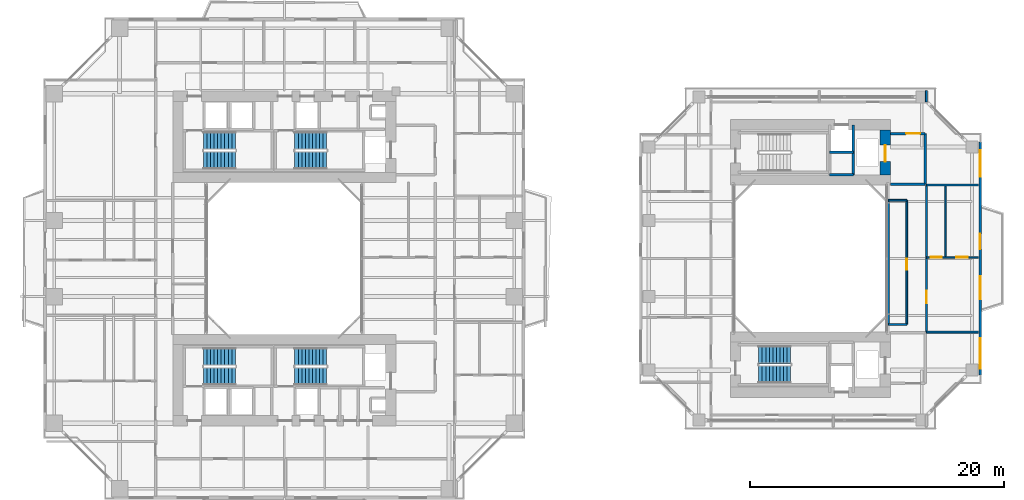
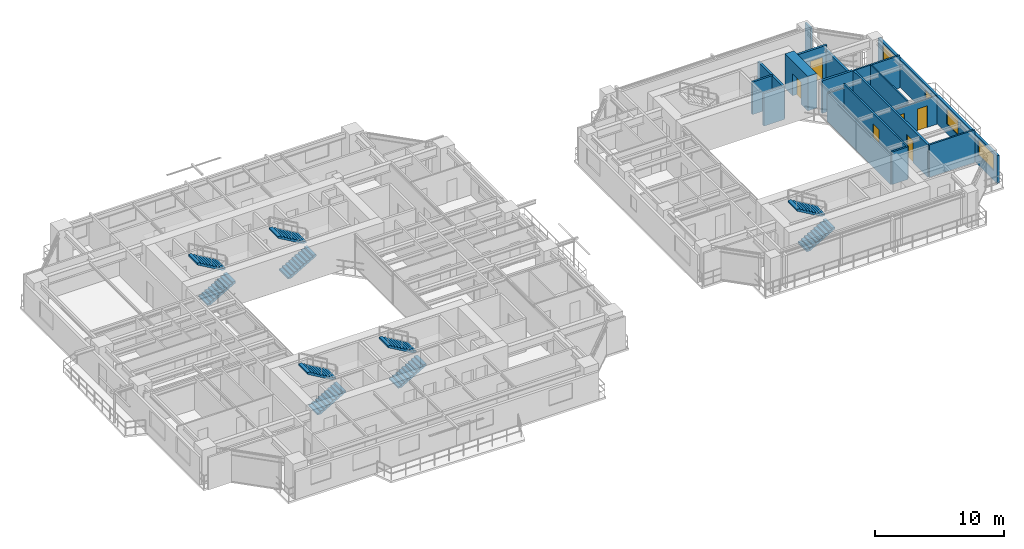
# One storey, part 18 of 24: 18 walls, 10 stair flights, 7 doors, 3 windows, 10 openings, 5 elements without a shape of their own.
"""IFC4 building model written with IfcOpenShell, lengths in metres."""

from ifc_helpers import new_model, si_unit, direction, frame, frame_2d, origin, place, context, subcontext, project, spatial, polyline, rectangle, outline, extrude, source, transform, mapped, material, layer, layer_set, type_object, element, fill, aggregate, save


model = new_model("IFC4")

# Units and contexts
model_context = context("Model", 3, precision=1e-05, world=origin(), true_north=direction((0.0, 1.0)))
body_context = subcontext(model_context, "Body", "Model", "MODEL_VIEW")
ifc_project = project(units=[si_unit("LENGTHUNIT", "METRE"), si_unit("AREAUNIT", "SQUARE_METRE"), si_unit("VOLUMEUNIT", "CUBIC_METRE"), si_unit("PLANEANGLEUNIT", "RADIAN"), si_unit("MASSUNIT", "GRAM", prefix="KILO"), si_unit("THERMODYNAMICTEMPERATUREUNIT", "KELVIN"), si_unit("POWERUNIT", "WATT")], contexts=[model_context])

# Site, building, storey
site_placement = place(None, origin())
site = spatial("IfcSite", under=ifc_project, at=site_placement, CompositionType="ELEMENT")
building_placement = place(site_placement, origin())
building = spatial("IfcBuilding", under=site, at=building_placement, Name="Qiaomeng Ring Towers", CompositionType="ELEMENT")
storey_placement = place(building_placement, frame((0.0, 0.0, 36.0)))
storey = spatial("IfcBuildingStorey", under=building, at=storey_placement, Name="L09", CompositionType="ELEMENT", Elevation=36.0)

# Wall, openings, windows, door
ifc_material_1 = material(Name="Precast concrete C40", Category="concrete")
ifc_layer_1 = layer(ifc_material_1, 0.219970703125, Name="Precast concrete C40")
ifc_layer_set_1 = layer_set([ifc_layer_1], Name="Precast concrete C40")
wall_type_1 = type_object("IfcWallType", Name="ARC-WL-EW2", PredefinedType="STANDARD", material=ifc_layer_set_1)
wall_1_placement = place(storey_placement, frame((73.889892578125, 13.800048828125, 0.0), z_axis=(0.0, 0.0, 1.0), x_axis=(0.0, 1.0, 0.0)))
wall_1 = element("IfcWall", 1, at=wall_1_placement, inside=storey, type_object=wall_type_1, Name="L09 Companion East Wall", PredefinedType="STANDARD", context=body_context, shape_type="SweptSolid", body=[
    extrude(rectangle(XDim=18.39990234375, YDim=0.219970703125, at=frame_2d((9.199951171875, 0.0))), origin(), (0.0, 0.0, 1.0), 2.610107421875),
])
opening_1_placement = place(wall_1_placement, frame((9.949951171875, 0.0, 0.0)))
opening_1 = element("IfcOpeningElement", 2, at=opening_1_placement, cuts=wall_1, Name="Opening BD1", PredefinedType="OPENING", context=body_context, shape_type="SweptSolid", body=[
    extrude(rectangle(XDim=1.199951171875, YDim=2.10009765625, at=frame_2d((0.60009765625, 1.050048828125))), frame((0.0, 0.119873046875, 0.0), z_axis=(0.0, -1.0, 0.0), x_axis=(1.0, 0.0, 0.0)), (0.0, 0.0, 1.0), 0.239990234375),
])
opening_2_placement = place(wall_1_placement, frame((0.507568359375, 0.0, 0.89990234375)))
opening_2 = element("IfcOpeningElement", 3, at=opening_2_placement, cuts=wall_1, Name="Opening WN6", PredefinedType="OPENING", context=body_context, shape_type="SweptSolid", body=[
    extrude(rectangle(XDim=2.39990234375, YDim=1.5, at=frame_2d((1.199951171875, 0.75))), frame((0.0, 0.119873046875, 0.0), z_axis=(0.0, -1.0, 0.0), x_axis=(1.0, 0.0, 0.0)), (0.0, 0.0, 1.0), 0.239990234375),
])
opening_3_placement = place(wall_1_placement, frame((6.0, 0.0, 0.89990234375)))
opening_3 = element("IfcOpeningElement", 4, at=opening_3_placement, cuts=wall_1, Name="Opening WN1", PredefinedType="OPENING", context=body_context, shape_type="SweptSolid", body=[
    extrude(rectangle(XDim=1.800048828125, YDim=1.449951171875, at=frame_2d((0.89990234375, 0.72509765625))), frame((0.0, 0.119873046875, 0.0), z_axis=(0.0, -1.0, 0.0), x_axis=(1.0, 0.0, 0.0)), (0.0, 0.0, 1.0), 0.239990234375),
])
opening_4_placement = place(wall_1_placement, frame((15.642578125, 0.0, 0.89990234375)))
opening_4 = element("IfcOpeningElement", 5, at=opening_4_placement, cuts=wall_1, Name="Opening WN4", PredefinedType="OPENING", context=body_context, shape_type="SweptSolid", body=[
    extrude(rectangle(XDim=2.10009765625, YDim=1.5, at=frame_2d((1.050048828125, 0.75))), frame((0.0, 0.119873046875, 0.0), z_axis=(0.0, -1.0, 0.0), x_axis=(1.0, 0.0, 0.0)), (0.0, 0.0, 1.0), 0.239990234375),
])
ifc_material_2 = material(Name="Low-E dark-grey laminated double glazing", Category="glass")
window_type_1 = type_object("IfcWindowType", Name="ARC-WN-4", PartitioningType="TRIPLE_PANEL_VERTICAL", PredefinedType="WINDOW", material=ifc_material_2)
shared_shape_1 = source(origin(), body_context, "Body", "SweptSolid", [
    extrude(rectangle(XDim=2.10009765625, YDim=1.5, at=frame_2d((1.050048828125, 0.75))), frame((0.0, 0.030029296875, 0.0), z_axis=(0.0, -1.0, 0.0), x_axis=(1.0, 0.0, 0.0)), (0.0, 0.0, 1.0), 0.06005859375),
])
window_1_placement = place(opening_4_placement, origin())
window_1 = element("IfcWindow", 6, at=window_1_placement, inside=storey, type_object=window_type_1, Name="L09 Exterior Window WN4", OverallHeight=1.5, OverallWidth=2.10009765625, PartitioningType="TRIPLE_PANEL_VERTICAL", PredefinedType="WINDOW", context=body_context, shape_type="MappedRepresentation", body=[
    mapped(shared_shape_1, transform((0.0, 0.0, 0.0), x_axis=(1.0, 0.0, 0.0), y_axis=(0.0, 1.0, 0.0), z_axis=(0.0, 0.0, 1.0), scale=1.0)),
])
fill(opening_4, window_1)
window_type_2 = type_object("IfcWindowType", Name="ARC-WN-1", PartitioningType="DOUBLE_PANEL_VERTICAL", PredefinedType="WINDOW", material=ifc_material_2)
shared_shape_2 = source(origin(), body_context, "Body", "SweptSolid", [
    extrude(rectangle(XDim=1.800048828125, YDim=1.449951171875, at=frame_2d((0.89990234375, 0.72509765625))), frame((0.0, 0.030029296875, 0.0), z_axis=(0.0, -1.0, 0.0), x_axis=(1.0, 0.0, 0.0)), (0.0, 0.0, 1.0), 0.06005859375),
])
window_2_placement = place(opening_3_placement, origin())
window_2 = element("IfcWindow", 7, at=window_2_placement, inside=storey, type_object=window_type_2, Name="L09 Exterior Window WN1", OverallHeight=1.449951171875, OverallWidth=1.800048828125, PartitioningType="DOUBLE_PANEL_VERTICAL", PredefinedType="WINDOW", context=body_context, shape_type="MappedRepresentation", body=[
    mapped(shared_shape_2, transform((0.0, 0.0, 0.0), x_axis=(1.0, 0.0, 0.0), y_axis=(0.0, 1.0, 0.0), z_axis=(0.0, 0.0, 1.0), scale=1.0)),
])
fill(opening_3, window_2)
door_type_1 = type_object("IfcDoorType", Name="ARC-DR-BD1", OperationType="NOTDEFINED", PredefinedType="DOOR", material=ifc_material_2)
shared_shape_3 = source(origin(), body_context, "Body", "SweptSolid", [
    extrude(rectangle(XDim=1.199951171875, YDim=2.10009765625, at=frame_2d((0.60009765625, 1.050048828125))), frame((0.0, 0.02490234375, 0.0), z_axis=(0.0, -1.0, 0.0), x_axis=(1.0, 0.0, 0.0)), (0.0, 0.0, 1.0), 0.050048828125),
])
door_1_placement = place(opening_1_placement, origin())
door_1 = element("IfcDoor", 8, at=door_1_placement, inside=storey, type_object=door_type_1, Name="L09 Companion East Balcony Door", OperationType="SINGLE_SWING_LEFT", OverallHeight=2.10009765625, OverallWidth=1.199951171875, PredefinedType="DOOR", context=body_context, shape_type="MappedRepresentation", body=[
    mapped(shared_shape_3, transform((0.0, 0.0, 0.0), x_axis=(1.0, 0.0, 0.0), y_axis=(0.0, 1.0, 0.0), z_axis=(0.0, 0.0, 1.0), scale=1.0)),
])
fill(opening_1, door_1)
window_type_3 = type_object("IfcWindowType", Name="ARC-WN-6", PartitioningType="TRIPLE_PANEL_VERTICAL", PredefinedType="WINDOW", material=ifc_material_2)
shared_shape_4 = source(origin(), body_context, "Body", "SweptSolid", [
    extrude(rectangle(XDim=2.39990234375, YDim=1.5, at=frame_2d((1.199951171875, 0.75))), frame((0.0, 0.030029296875, 0.0), z_axis=(0.0, -1.0, 0.0), x_axis=(1.0, 0.0, 0.0)), (0.0, 0.0, 1.0), 0.06005859375),
])
window_3_placement = place(opening_2_placement, origin())
window_3 = element("IfcWindow", 9, at=window_3_placement, inside=storey, type_object=window_type_3, Name="L09 Exterior Window WN6", OverallHeight=1.5, OverallWidth=2.39990234375, PartitioningType="TRIPLE_PANEL_VERTICAL", PredefinedType="WINDOW", context=body_context, shape_type="MappedRepresentation", body=[
    mapped(shared_shape_4, transform((0.0, 0.0, 0.0), x_axis=(1.0, 0.0, 0.0), y_axis=(0.0, 1.0, 0.0), z_axis=(0.0, 0.0, 1.0), scale=1.0)),
])
fill(opening_2, window_3)

# Walls
ifc_material_3 = material(Name="Autoclaved aerated concrete block", Category="concrete")
ifc_layer_2 = layer(ifc_material_3, 0.199951171875, Name="Autoclaved aerated concrete block")
ifc_layer_set_2 = layer_set([ifc_layer_2], Name="Autoclaved aerated concrete block")
wall_type_2 = type_object("IfcWallType", Name="ARC-WL-PW1", PredefinedType="PARTITIONING", material=ifc_layer_set_2)
wall_2_placement = place(storey_placement, frame((66.800048828125, 28.85009765625, 0.0), z_axis=(0.0, 0.0, 1.0), x_axis=(1.0, 0.0, 0.0)))
element("IfcWall", 10, at=wall_2_placement, inside=storey, type_object=wall_type_2, Name="L09 Interior Wall PW1", PredefinedType="PARTITIONING", context=body_context, shape_type="SweptSolid", body=[
    extrude(rectangle(XDim=2.75, YDim=0.199951171875, at=frame_2d((1.375, 0.0))), origin(), (0.0, 0.0, 1.0), 3.070068359375),
])
wall_3_placement = place(storey_placement, frame((69.550048828125, 28.85009765625, 0.0), z_axis=(0.0, 0.0, 1.0), x_axis=(0.0, 1.0, 0.0)))
element("IfcWall", 11, at=wall_3_placement, inside=storey, type_object=wall_type_2, Name="L09 Interior Wall PW1", PredefinedType="PARTITIONING", context=body_context, shape_type="SweptSolid", body=[
    extrude(rectangle(XDim=4.0, YDim=0.199951171875, at=frame_2d((2.0, 0.0))), origin(), (0.0, 0.0, 1.0), 2.614990234375),
])

# Wall, opening, door
wall_4_placement = place(storey_placement, frame((66.800048828125, 32.85009765625, 0.0), z_axis=(0.0, 0.0, 1.0), x_axis=(1.0, 0.0, 0.0)))
wall_4 = element("IfcWall", 12, at=wall_4_placement, inside=storey, type_object=wall_type_2, Name="L09 Interior Wall PW1", PredefinedType="PARTITIONING", context=body_context, shape_type="SweptSolid", body=[
    extrude(rectangle(XDim=2.75, YDim=0.199951171875, at=frame_2d((1.375, 0.0))), origin(), (0.0, 0.0, 1.0), 3.070068359375),
])
opening_5_placement = place(wall_4_placement, frame((1.25, 0.0, 0.0)))
opening_5 = element("IfcOpeningElement", 13, at=opening_5_placement, cuts=wall_4, Name="Opening FD3", PredefinedType="OPENING", context=body_context, shape_type="SweptSolid", body=[
    extrude(rectangle(XDim=1.10009765625, YDim=2.050048828125, at=frame_2d((0.550048828125, 1.02490234375))), frame((0.0, 0.10986328125, 0.0), z_axis=(0.0, -1.0, 0.0), x_axis=(1.0, 0.0, 0.0)), (0.0, 0.0, 1.0), 0.219970703125),
])
ifc_material_4 = material(Name="Galvanised steel", Category="steel")
door_type_2 = type_object("IfcDoorType", Name="ARC-DR-FD3", OperationType="NOTDEFINED", PredefinedType="DOOR", material=ifc_material_4)
shared_shape_5 = source(origin(), body_context, "Body", "SweptSolid", [
    extrude(rectangle(XDim=1.10009765625, YDim=2.050048828125, at=frame_2d((0.550048828125, 1.02490234375))), frame((0.0, 0.02490234375, 0.0), z_axis=(0.0, -1.0, 0.0), x_axis=(1.0, 0.0, 0.0)), (0.0, 0.0, 1.0), 0.050048828125),
])
door_2_placement = place(opening_5_placement, origin())
door_2 = element("IfcDoor", 14, at=door_2_placement, inside=storey, type_object=door_type_2, Name="L09 Door FD3", OperationType="SINGLE_SWING_LEFT", OverallHeight=2.050048828125, OverallWidth=1.10009765625, PredefinedType="DOOR", context=body_context, shape_type="MappedRepresentation", body=[
    mapped(shared_shape_5, transform((0.0, 0.0, 0.0), x_axis=(1.0, 0.0, 0.0), y_axis=(0.0, 1.0, 0.0), z_axis=(0.0, 0.0, 1.0), scale=1.0)),
])
fill(opening_5, door_2)

ifc_layer_3 = layer(ifc_material_3, 0.179931640625, Name="Autoclaved aerated concrete block")
ifc_layer_set_3 = layer_set([ifc_layer_3], Name="Autoclaved aerated concrete block")
wall_type_3 = type_object("IfcWallType", Name="ARC-WL-PW2", PredefinedType="PARTITIONING", material=ifc_layer_set_3)
wall_5_placement = place(storey_placement, frame((69.64990234375, 17.199951171875, 0.0), z_axis=(0.0, 0.0, 1.0), x_axis=(0.0, 1.0, 0.0)))
wall_5 = element("IfcWall", 15, at=wall_5_placement, inside=storey, type_object=wall_type_3, Name="L09 Interior Wall PW2", PredefinedType="PARTITIONING", context=body_context, shape_type="SweptSolid", body=[
    extrude(rectangle(XDim=11.60009765625, YDim=0.179931640625, at=frame_2d((5.800048828125, 0.0))), origin(), (0.0, 0.0, 1.0), 3.070068359375),
])
opening_6_placement = place(wall_5_placement, frame((2.260009765625, 0.0, 0.0)))
opening_6 = element("IfcOpeningElement", 16, at=opening_6_placement, cuts=wall_5, Name="Opening FD4", PredefinedType="OPENING", context=body_context, shape_type="SweptSolid", body=[
    extrude(rectangle(XDim=1.0, YDim=2.050048828125, at=frame_2d((0.5, 1.02490234375))), frame((0.0, 0.099853515625, 0.0), z_axis=(0.0, -1.0, 0.0), x_axis=(1.0, 0.0, 0.0)), (0.0, 0.0, 1.0), 0.199951171875),
])
ifc_material_5 = material(Name="Engineered fire-rated oak timber", Category="wood")
door_type_3 = type_object("IfcDoorType", Name="ARC-DR-FD4", OperationType="NOTDEFINED", PredefinedType="DOOR", material=ifc_material_5)
shared_shape_6 = source(origin(), body_context, "Body", "SweptSolid", [
    extrude(rectangle(XDim=1.0, YDim=2.050048828125, at=frame_2d((0.5, 1.02490234375))), frame((0.0, 0.02490234375, 0.0), z_axis=(0.0, -1.0, 0.0), x_axis=(1.0, 0.0, 0.0)), (0.0, 0.0, 1.0), 0.050048828125),
])
door_3_placement = place(opening_6_placement, origin())
door_3 = element("IfcDoor", 17, at=door_3_placement, inside=storey, type_object=door_type_3, Name="L09 Door FD4", OperationType="SINGLE_SWING_LEFT", OverallHeight=2.050048828125, OverallWidth=1.0, PredefinedType="DOOR", context=body_context, shape_type="MappedRepresentation", body=[
    mapped(shared_shape_6, transform((0.0, 0.0, 0.0), x_axis=(1.0, 0.0, 0.0), y_axis=(0.0, 1.0, 0.0), z_axis=(0.0, 0.0, 1.0), scale=1.0)),
])
fill(opening_6, door_3)

# Walls
ifc_material_6 = material(Name="Gypsum fireboard steel-stud partition", Category="steel")
ifc_layer_4 = layer(ifc_material_6, 0.14990234375, Name="Gypsum fireboard steel-stud partition")
ifc_layer_set_4 = layer_set([ifc_layer_4], Name="Gypsum fireboard steel-stud partition")
wall_type_4 = type_object("IfcWallType", Name="ARC-WL-PW3", PredefinedType="PARTITIONING", material=ifc_layer_set_4)
for number, where, z_axis, x_axis, name in (
    (18, (69.64990234375, 17.199951171875, 0.0), (0.0, 0.0, 1.0), (1.0, 0.0, 0.0), "L09 Interior Wall PW3"),
    (19, (69.64990234375, 28.800048828125, 0.0), (0.0, 0.0, 1.0), (1.0, 0.0, 0.0), "L09 Interior Wall PW3"),
):
    element("IfcWall", number, at=place(storey_placement, frame(where, z_axis=z_axis, x_axis=x_axis)), inside=storey, type_object=wall_type_4, Name=name, PredefinedType="PARTITIONING", context=body_context, shape_type="SweptSolid", body=[
        extrude(rectangle(XDim=4.10009765625, YDim=0.14990234375, at=frame_2d((2.050048828125, 0.0))), origin(), (0.0, 0.0, 1.0), 3.070068359375),
    ])

# Wall, opening, door
wall_6_placement = place(storey_placement, frame((68.10009765625, 17.800048828125, 0.0), z_axis=(0.0, 0.0, 1.0), x_axis=(0.0, 1.0, 0.0)))
wall_6 = element("IfcWall", 20, at=wall_6_placement, inside=storey, type_object=wall_type_4, Name="L09 Interior Wall PW3", PredefinedType="PARTITIONING", context=body_context, shape_type="SweptSolid", body=[
    extrude(rectangle(XDim=9.800048828125, YDim=0.14990234375, at=frame_2d((4.89990234375, 0.0))), origin(), (0.0, 0.0, 1.0), 3.070068359375),
])
opening_7_placement = place(wall_6_placement, frame((4.300048828125, 0.0, 0.0)))
opening_7 = element("IfcOpeningElement", 21, at=opening_7_placement, cuts=wall_6, Name="Opening ID1", PredefinedType="OPENING", context=body_context, shape_type="SweptSolid", body=[
    extrude(rectangle(XDim=0.89990234375, YDim=2.050048828125, at=frame_2d((0.449951171875, 1.02490234375))), frame((0.0, 0.0849609375, 0.0), z_axis=(0.0, -1.0, 0.0), x_axis=(1.0, 0.0, 0.0)), (0.0, 0.0, 1.0), 0.169921875),
])
ifc_material_7 = material(Name="Engineered oak timber", Category="wood")
door_type_4 = type_object("IfcDoorType", Name="ARC-DR-ID1", OperationType="NOTDEFINED", PredefinedType="DOOR", material=ifc_material_7)
shared_shape_7 = source(origin(), body_context, "Body", "SweptSolid", [
    extrude(rectangle(XDim=0.89990234375, YDim=2.050048828125, at=frame_2d((0.449951171875, 1.02490234375))), frame((0.0, 0.02490234375, 0.0), z_axis=(0.0, -1.0, 0.0), x_axis=(1.0, 0.0, 0.0)), (0.0, 0.0, 1.0), 0.050048828125),
])
door_4_placement = place(opening_7_placement, origin())
door_4 = element("IfcDoor", 22, at=door_4_placement, inside=storey, type_object=door_type_4, Name="L09 Door ID1", OperationType="SINGLE_SWING_RIGHT", OverallHeight=2.050048828125, OverallWidth=0.89990234375, PredefinedType="DOOR", context=body_context, shape_type="MappedRepresentation", body=[
    mapped(shared_shape_7, transform((0.0, 0.0, 0.0), x_axis=(1.0, 0.0, 0.0), y_axis=(0.0, 1.0, 0.0), z_axis=(0.0, 0.0, 1.0), scale=1.0)),
])
fill(opening_7, door_4)

# Walls
wall_7_placement = place(storey_placement, frame((66.64990234375, 27.60009765625, 0.0), z_axis=(0.0, 0.0, 1.0), x_axis=(1.0, 0.0, 0.0)))
element("IfcWall", 23, at=wall_7_placement, inside=storey, type_object=wall_type_4, Name="L09 Interior Wall PW3", PredefinedType="PARTITIONING", context=body_context, shape_type="SweptSolid", body=[
    extrude(rectangle(XDim=1.4501953125, YDim=0.14990234375, at=frame_2d((0.72509765625, 0.0))), origin(), (0.0, 0.0, 1.0), 2.715087890625),
])
wall_8_placement = place(storey_placement, frame((66.64990234375, 17.800048828125, 0.0), z_axis=(0.0, 0.0, 1.0), x_axis=(1.0, 0.0, 0.0)))
element("IfcWall", 24, at=wall_8_placement, inside=storey, type_object=wall_type_4, Name="L09 Interior Wall PW3", PredefinedType="PARTITIONING", context=body_context, shape_type="SweptSolid", body=[
    extrude(rectangle(XDim=1.4501953125, YDim=0.14990234375, at=frame_2d((0.72509765625, 0.0))), origin(), (0.0, 0.0, 1.0), 3.070068359375),
])
wall_9_placement = place(storey_placement, frame((66.64990234375, 17.800048828125, 0.0), z_axis=(0.0, 0.0, 1.0), x_axis=(0.0, 1.0, 0.0)))
element("IfcWall", 25, at=wall_9_placement, inside=storey, type_object=wall_type_4, Name="L09 Interior Wall PW3", PredefinedType="PARTITIONING", context=body_context, shape_type="SweptSolid", body=[
    extrude(rectangle(XDim=9.800048828125, YDim=0.14990234375, at=frame_2d((4.89990234375, 0.0))), origin(), (0.0, 0.0, 1.0), 2.6650390625),
])
wall_10_placement = place(storey_placement, frame((69.64990234375, 35.35009765625, 0.0), z_axis=(0.0, 0.0, 1.0), x_axis=(0.0, 1.0, 0.0)))
element("IfcWall", 26, at=wall_10_placement, inside=storey, type_object=wall_type_4, Name="L09 Interior Wall PW3", PredefinedType="PARTITIONING", context=body_context, shape_type="SweptSolid", body=[
    extrude(rectangle(XDim=0.89990234375, YDim=0.14990234375, at=frame_2d((0.449951171875, 0.0))), origin(), (0.0, 0.0, 1.0), 3.070068359375),
])

# Wall, openings, doors
ifc_material_8 = material(Name="Moisture-resistant gypsum steel-stud partition", Category="steel")
ifc_layer_5 = layer(ifc_material_8, 0.1201171875, Name="Moisture-resistant gypsum steel-stud partition")
ifc_layer_set_5 = layer_set([ifc_layer_5], Name="Moisture-resistant gypsum steel-stud partition")
wall_type_5 = type_object("IfcWallType", Name="ARC-WL-PW4", PredefinedType="PLUMBINGWALL", material=ifc_layer_set_5)
wall_11_placement = place(storey_placement, frame((69.64990234375, 23.10009765625, 0.0), z_axis=(0.0, 0.0, 1.0), x_axis=(1.0, 0.0, 0.0)))
wall_11 = element("IfcWall", 27, at=wall_11_placement, inside=storey, type_object=wall_type_5, Name="L09 Interior Wall PW4", PredefinedType="PLUMBINGWALL", context=body_context, shape_type="SweptSolid", body=[
    extrude(rectangle(XDim=4.10009765625, YDim=0.1201171875, at=frame_2d((2.050048828125, 0.0))), origin(), (0.0, 0.0, 1.0), 2.715087890625),
])
opening_8_placement = place(wall_11_placement, frame((0.344970703125, 0.0, 0.0)))
opening_8 = element("IfcOpeningElement", 28, at=opening_8_placement, cuts=wall_11, Name="Opening ID2", PredefinedType="OPENING", context=body_context, shape_type="SweptSolid", body=[
    extrude(rectangle(XDim=0.85009765625, YDim=2.050048828125, at=frame_2d((0.425048828125, 1.02490234375))), frame((0.0, 0.070068359375, 0.0), z_axis=(0.0, -1.0, 0.0), x_axis=(1.0, 0.0, 0.0)), (0.0, 0.0, 1.0), 0.14013671875),
])
opening_9_placement = place(wall_11_placement, frame((2.35009765625, 0.0, 0.0)))
opening_9 = element("IfcOpeningElement", 29, at=opening_9_placement, cuts=wall_11, Name="Opening ID1", PredefinedType="OPENING", context=body_context, shape_type="SweptSolid", body=[
    extrude(rectangle(XDim=0.89990234375, YDim=2.050048828125, at=frame_2d((0.449951171875, 1.02490234375))), frame((0.0, 0.070068359375, 0.0), z_axis=(0.0, -1.0, 0.0), x_axis=(1.0, 0.0, 0.0)), (0.0, 0.0, 1.0), 0.14013671875),
])
ifc_material_9 = material(Name="Moisture-resistant engineered timber", Category="wood")
door_type_5 = type_object("IfcDoorType", Name="ARC-DR-ID2", OperationType="NOTDEFINED", PredefinedType="DOOR", material=ifc_material_9)
shared_shape_8 = source(origin(), body_context, "Body", "SweptSolid", [
    extrude(rectangle(XDim=0.85009765625, YDim=2.050048828125, at=frame_2d((0.425048828125, 1.02490234375))), frame((0.0, 0.02490234375, 0.0), z_axis=(0.0, -1.0, 0.0), x_axis=(1.0, 0.0, 0.0)), (0.0, 0.0, 1.0), 0.050048828125),
])
door_5_placement = place(opening_8_placement, origin())
door_5 = element("IfcDoor", 30, at=door_5_placement, inside=storey, type_object=door_type_5, Name="L09 Door ID2", OperationType="SINGLE_SWING_LEFT", OverallHeight=2.050048828125, OverallWidth=0.85009765625, PredefinedType="DOOR", context=body_context, shape_type="MappedRepresentation", body=[
    mapped(shared_shape_8, transform((0.0, 0.0, 0.0), x_axis=(1.0, 0.0, 0.0), y_axis=(0.0, 1.0, 0.0), z_axis=(0.0, 0.0, 1.0), scale=1.0)),
])
fill(opening_8, door_5)
door_6_placement = place(opening_9_placement, origin())
door_6 = element("IfcDoor", 31, at=door_6_placement, inside=storey, type_object=door_type_4, Name="L09 Door ID1", OperationType="SINGLE_SWING_RIGHT", OverallHeight=2.050048828125, OverallWidth=0.89990234375, PredefinedType="DOOR", context=body_context, shape_type="MappedRepresentation", body=[
    mapped(shared_shape_7, transform((0.0, 0.0, 0.0), x_axis=(1.0, 0.0, 0.0), y_axis=(0.0, 1.0, 0.0), z_axis=(0.0, 0.0, 1.0), scale=1.0)),
])
fill(opening_9, door_6)

# Walls
wall_12_placement = place(storey_placement, frame((71.169921875, 23.10009765625, 0.0), z_axis=(0.0, 0.0, 1.0), x_axis=(0.0, 1.0, 0.0)))
element("IfcWall", 32, at=wall_12_placement, inside=storey, type_object=wall_type_5, Name="L09 Interior Wall PW4", PredefinedType="PLUMBINGWALL", context=body_context, shape_type="SweptSolid", body=[
    extrude(rectangle(XDim=5.699951171875, YDim=0.1201171875, at=frame_2d((2.85009765625, 0.0))), origin(), (0.0, 0.0, 1.0), 3.070068359375),
])
ifc_material_10 = material(Name="Concrete C40", Category="concrete")
ifc_layer_6 = layer(ifc_material_10, 0.199951171875, Name="Concrete C40")
ifc_layer_set_6 = layer_set([ifc_layer_6], Name="Concrete C40")
wall_type_6 = type_object("IfcWallType", Name="STR-WL-STSHAFT", PredefinedType="SHEAR", material=ifc_layer_set_6)
wall_13_placement = place(storey_placement, frame((63.8798828125, 29.60009765625, 0.0), z_axis=(0.0, 0.0, 1.0), x_axis=(0.0, 1.0, 0.0)))
element("IfcWall", 33, at=wall_13_placement, inside=storey, type_object=wall_type_6, Name="L09 Companion Lift Shaft East Wall N", PredefinedType="SHEAR", context=body_context, shape_type="SweptSolid", body=[
    extrude(rectangle(XDim=3.949951171875, YDim=0.179931640625, at=frame_2d((1.97509765625, 0.0))), origin(), (0.0, 0.0, 1.0), 3.070068359375),
])
for number, where, z_axis, x_axis, name in (
    (34, (62.02001953125, 31.3798828125, 0.0), (0.0, 0.0, 1.0), (1.0, 0.0, 0.0), "L09 Companion Lift Shaft Divider Wall N"),
    (35, (62.02001953125, 29.60009765625, 0.0), (0.0, 0.0, 1.0), (1.0, 0.0, 0.0), "L09 Companion Riser Shaft Back Wall N"),
):
    element("IfcWall", number, at=place(storey_placement, frame(where, z_axis=z_axis, x_axis=x_axis)), inside=storey, type_object=wall_type_6, Name=name, PredefinedType="SHEAR", context=body_context, shape_type="SweptSolid", body=[
        extrude(rectangle(XDim=1.85986328125, YDim=0.179931640625, at=frame_2d((0.929931640625, 0.0))), origin(), (0.0, 0.0, 1.0), 3.070068359375),
    ])

# Wall, opening, door
ifc_material_11 = material(Name="Concrete C60", Category="concrete")
ifc_layer_7 = layer(ifc_material_11, 0.800048828125, Name="Concrete C60")
ifc_layer_set_7 = layer_set([ifc_layer_7], Name="Concrete C60")
wall_type_7 = type_object("IfcWallType", Name="STR-WL-SW1", PredefinedType="SHEAR", material=ifc_layer_set_7)
wall_14_placement = place(storey_placement, frame((66.39990234375, 29.60009765625, 0.0), z_axis=(0.0, 0.0, 1.0), x_axis=(0.0, 1.0, 0.0)))
wall_14 = element("IfcWall", 36, at=wall_14_placement, inside=storey, type_object=wall_type_7, Name="L09 T2NC east core shear wall", PredefinedType="SHEAR", context=body_context, shape_type="SweptSolid", body=[
    extrude(rectangle(XDim=3.5498046875, YDim=0.800048828125, at=frame_2d((1.77490234375, 0.0))), origin(), (0.0, 0.0, 1.0), 3.25),
])
opening_10_placement = place(wall_14_placement, frame((1.050048828125, 0.0, 0.0)))
opening_10 = element("IfcOpeningElement", 37, at=opening_10_placement, cuts=wall_14, Name="Opening LD2", PredefinedType="OPENING", context=body_context, shape_type="SweptSolid", body=[
    extrude(rectangle(XDim=1.300048828125, YDim=2.050048828125, at=frame_2d((0.64990234375, 1.02490234375))), frame((0.0, 0.409912109375, 0.0), z_axis=(0.0, -1.0, 0.0), x_axis=(1.0, 0.0, 0.0)), (0.0, 0.0, 1.0), 0.820068359375),
])
ifc_material_12 = material(Name="Stainless steel 316", Category="steel")
door_type_6 = type_object("IfcDoorType", Name="ARC-DR-LD2", OperationType="NOTDEFINED", PredefinedType="DOOR", material=ifc_material_12)
shared_shape_9 = source(origin(), body_context, "Body", "SweptSolid", [
    extrude(rectangle(XDim=1.300048828125, YDim=2.050048828125, at=frame_2d((0.64990234375, 1.02490234375))), frame((0.0, 0.02490234375, 0.0), z_axis=(0.0, -1.0, 0.0), x_axis=(1.0, 0.0, 0.0)), (0.0, 0.0, 1.0), 0.050048828125),
])
door_7_placement = place(opening_10_placement, origin())
door_7 = element("IfcDoor", 38, at=door_7_placement, inside=storey, type_object=door_type_6, Name="L09 Firefighting Lift FL3 Landing Door", OperationType="SLIDING_TO_LEFT", OverallHeight=2.050048828125, OverallWidth=1.300048828125, PredefinedType="DOOR", context=body_context, shape_type="MappedRepresentation", body=[
    mapped(shared_shape_9, transform((0.0, 0.0, 0.0), x_axis=(1.0, 0.0, 0.0), y_axis=(0.0, 1.0, 0.0), z_axis=(0.0, 0.0, 1.0), scale=1.0)),
])
fill(opening_10, door_7)

# Stair, stair flights
stair_type = type_object("IfcStairType", Name="ARC-ST-325", PredefinedType="HALF_TURN_STAIR", material=ifc_material_1)
stair_1_placement = place(storey_placement, origin())
stair_1 = element("IfcStair", 39, at=stair_1_placement, inside=storey, type_object=stair_type, Name="L09 Tower 1 North Stair 1", PredefinedType="HALF_TURN_STAIR")
stair_flight_type = type_object("IfcStairFlightType", Name="ARC-ST-325-FL", PredefinedType="STRAIGHT", material=ifc_material_1)
shared_shape_10 = source(origin(), body_context, "Body", "SweptSolid", [
    extrude(outline(polyline([(0.0, 0.0), (0.0, 0.16259765625), (0.280029296875, 0.16259765625), (0.280029296875, 0.324951171875), (0.56005859375, 0.324951171875), (0.56005859375, 0.487548828125), (0.840087890625, 0.487548828125), (0.840087890625, 0.64990234375), (1.1201171875, 0.64990234375), (1.1201171875, 0.8125), (1.39990234375, 0.8125), (1.39990234375, 0.97509765625), (1.679931640625, 0.97509765625), (1.679931640625, 1.137451171875), (1.9599609375, 1.137451171875), (1.9599609375, 1.300048828125), (2.239990234375, 1.300048828125), (2.239990234375, 1.46240234375), (2.52001953125, 1.46240234375), (2.52001953125, 1.625), (2.52001953125, 1.2890625), (0.298583984375, 0.0), (0.0, 0.0)])), frame((0.0, 0.699951171875, 0.0), z_axis=(0.0, -1.0, 0.0), x_axis=(1.0, 0.0, 0.0)), (0.0, 0.0, 1.0), 1.39990234375),
])
stair_flight_1_placement = place(storey_placement, frame((12.6201171875, 30.75, 0.0), z_axis=(0.0, 0.0, 1.0), x_axis=(1.0, 0.0, 0.0)))
stair_flight_1 = element("IfcStairFlight", 40, at=stair_flight_1_placement, type_object=stair_flight_type, Name="ST1 flight 1", NumberOfRisers=10, NumberOfTreads=9, PredefinedType="STRAIGHT", RiserHeight=0.1625, TreadLength=0.28, context=body_context, shape_type="MappedRepresentation", body=[
    mapped(shared_shape_10, transform((0.0, 0.0, 0.0), x_axis=(1.0, 0.0, 0.0), y_axis=(0.0, 1.0, 0.0), z_axis=(0.0, 0.0, 1.0), scale=1.0)),
])
stair_flight_2_placement = place(storey_placement, frame((15.139892578125, 32.2900390625, 1.625), z_axis=(0.0, 0.0, 1.0), x_axis=(-1.0, 0.0, 0.0)))
stair_flight_2 = element("IfcStairFlight", 41, at=stair_flight_2_placement, type_object=stair_flight_type, Name="ST1 flight 2", NumberOfRisers=10, NumberOfTreads=9, PredefinedType="STRAIGHT", RiserHeight=0.1625, TreadLength=0.28, context=body_context, shape_type="MappedRepresentation", body=[
    mapped(shared_shape_10, transform((0.0, 0.0, 0.0), x_axis=(1.0, 0.0, 0.0), y_axis=(0.0, 1.0, 0.0), z_axis=(0.0, 0.0, 1.0), scale=1.0)),
])
aggregate(stair_1, [stair_flight_1, stair_flight_2])

stair_2_placement = place(storey_placement, origin())
stair_2 = element("IfcStair", 42, at=stair_2_placement, inside=storey, type_object=stair_type, Name="L09 Tower 1 North Stair 2", PredefinedType="HALF_TURN_STAIR")
stair_flight_3_placement = place(storey_placement, frame((19.820068359375, 30.75, 0.0), z_axis=(0.0, 0.0, 1.0), x_axis=(1.0, 0.0, 0.0)))
stair_flight_3 = element("IfcStairFlight", 43, at=stair_flight_3_placement, type_object=stair_flight_type, Name="ST2 flight 1", NumberOfRisers=10, NumberOfTreads=9, PredefinedType="STRAIGHT", RiserHeight=0.1625, TreadLength=0.28, context=body_context, shape_type="MappedRepresentation", body=[
    mapped(shared_shape_10, transform((0.0, 0.0, 0.0), x_axis=(1.0, 0.0, 0.0), y_axis=(0.0, 1.0, 0.0), z_axis=(0.0, 0.0, 1.0), scale=1.0)),
])
stair_flight_4_placement = place(storey_placement, frame((22.340087890625, 32.2900390625, 1.625), z_axis=(0.0, 0.0, 1.0), x_axis=(-1.0, 0.0, 0.0)))
stair_flight_4 = element("IfcStairFlight", 44, at=stair_flight_4_placement, type_object=stair_flight_type, Name="ST2 flight 2", NumberOfRisers=10, NumberOfTreads=9, PredefinedType="STRAIGHT", RiserHeight=0.1625, TreadLength=0.28, context=body_context, shape_type="MappedRepresentation", body=[
    mapped(shared_shape_10, transform((0.0, 0.0, 0.0), x_axis=(1.0, 0.0, 0.0), y_axis=(0.0, 1.0, 0.0), z_axis=(0.0, 0.0, 1.0), scale=1.0)),
])
aggregate(stair_2, [stair_flight_3, stair_flight_4])

stair_3_placement = place(storey_placement, origin())
stair_3 = element("IfcStair", 45, at=stair_3_placement, inside=storey, type_object=stair_type, Name="L09 Tower 1 South Stair 3", PredefinedType="HALF_TURN_STAIR")
stair_flight_5_placement = place(storey_placement, frame((12.6201171875, 13.7099609375, 0.0), z_axis=(0.0, 0.0, 1.0), x_axis=(1.0, 0.0, 0.0)))
stair_flight_5 = element("IfcStairFlight", 46, at=stair_flight_5_placement, type_object=stair_flight_type, Name="ST3 flight 1", NumberOfRisers=10, NumberOfTreads=9, PredefinedType="STRAIGHT", RiserHeight=0.1625, TreadLength=0.28, context=body_context, shape_type="MappedRepresentation", body=[
    mapped(shared_shape_10, transform((0.0, 0.0, 0.0), x_axis=(1.0, 0.0, 0.0), y_axis=(0.0, 1.0, 0.0), z_axis=(0.0, 0.0, 1.0), scale=1.0)),
])
stair_flight_6_placement = place(storey_placement, frame((15.139892578125, 15.25, 1.625), z_axis=(0.0, 0.0, 1.0), x_axis=(-1.0, 0.0, 0.0)))
stair_flight_6 = element("IfcStairFlight", 47, at=stair_flight_6_placement, type_object=stair_flight_type, Name="ST3 flight 2", NumberOfRisers=10, NumberOfTreads=9, PredefinedType="STRAIGHT", RiserHeight=0.1625, TreadLength=0.28, context=body_context, shape_type="MappedRepresentation", body=[
    mapped(shared_shape_10, transform((0.0, 0.0, 0.0), x_axis=(1.0, 0.0, 0.0), y_axis=(0.0, 1.0, 0.0), z_axis=(0.0, 0.0, 1.0), scale=1.0)),
])
aggregate(stair_3, [stair_flight_5, stair_flight_6])

stair_4_placement = place(storey_placement, origin())
stair_4 = element("IfcStair", 48, at=stair_4_placement, inside=storey, type_object=stair_type, Name="L09 Tower 1 South Stair 4", PredefinedType="HALF_TURN_STAIR")
stair_flight_7_placement = place(storey_placement, frame((19.820068359375, 13.7099609375, 0.0), z_axis=(0.0, 0.0, 1.0), x_axis=(1.0, 0.0, 0.0)))
stair_flight_7 = element("IfcStairFlight", 49, at=stair_flight_7_placement, type_object=stair_flight_type, Name="ST4 flight 1", NumberOfRisers=10, NumberOfTreads=9, PredefinedType="STRAIGHT", RiserHeight=0.1625, TreadLength=0.28, context=body_context, shape_type="MappedRepresentation", body=[
    mapped(shared_shape_10, transform((0.0, 0.0, 0.0), x_axis=(1.0, 0.0, 0.0), y_axis=(0.0, 1.0, 0.0), z_axis=(0.0, 0.0, 1.0), scale=1.0)),
])
stair_flight_8_placement = place(storey_placement, frame((22.340087890625, 15.25, 1.625), z_axis=(0.0, 0.0, 1.0), x_axis=(-1.0, 0.0, 0.0)))
stair_flight_8 = element("IfcStairFlight", 50, at=stair_flight_8_placement, type_object=stair_flight_type, Name="ST4 flight 2", NumberOfRisers=10, NumberOfTreads=9, PredefinedType="STRAIGHT", RiserHeight=0.1625, TreadLength=0.28, context=body_context, shape_type="MappedRepresentation", body=[
    mapped(shared_shape_10, transform((0.0, 0.0, 0.0), x_axis=(1.0, 0.0, 0.0), y_axis=(0.0, 1.0, 0.0), z_axis=(0.0, 0.0, 1.0), scale=1.0)),
])
aggregate(stair_4, [stair_flight_7, stair_flight_8])

stair_5_placement = place(storey_placement, origin())
stair_5 = element("IfcStair", 51, at=stair_5_placement, inside=storey, type_object=stair_type, Name="L09 Companion South Stair 6", PredefinedType="HALF_TURN_STAIR")
stair_flight_9_placement = place(storey_placement, frame((56.419921875, 13.860107421875, 0.0), z_axis=(0.0, 0.0, 1.0), x_axis=(1.0, 0.0, 0.0)))
stair_flight_9 = element("IfcStairFlight", 52, at=stair_flight_9_placement, type_object=stair_flight_type, Name="ST6 flight 1", NumberOfRisers=10, NumberOfTreads=9, PredefinedType="STRAIGHT", RiserHeight=0.1625, TreadLength=0.28, context=body_context, shape_type="MappedRepresentation", body=[
    mapped(shared_shape_10, transform((0.0, 0.0, 0.0), x_axis=(1.0, 0.0, 0.0), y_axis=(0.0, 1.0, 0.0), z_axis=(0.0, 0.0, 1.0), scale=1.0)),
])
stair_flight_10_placement = place(storey_placement, frame((58.93994140625, 15.39990234375, 1.625), z_axis=(0.0, 0.0, 1.0), x_axis=(-1.0, 0.0, 0.0)))
stair_flight_10 = element("IfcStairFlight", 53, at=stair_flight_10_placement, type_object=stair_flight_type, Name="ST6 flight 2", NumberOfRisers=10, NumberOfTreads=9, PredefinedType="STRAIGHT", RiserHeight=0.1625, TreadLength=0.28, context=body_context, shape_type="MappedRepresentation", body=[
    mapped(shared_shape_10, transform((0.0, 0.0, 0.0), x_axis=(1.0, 0.0, 0.0), y_axis=(0.0, 1.0, 0.0), z_axis=(0.0, 0.0, 1.0), scale=1.0)),
])
aggregate(stair_5, [stair_flight_9, stair_flight_10])

save(model, "model.ifc")
